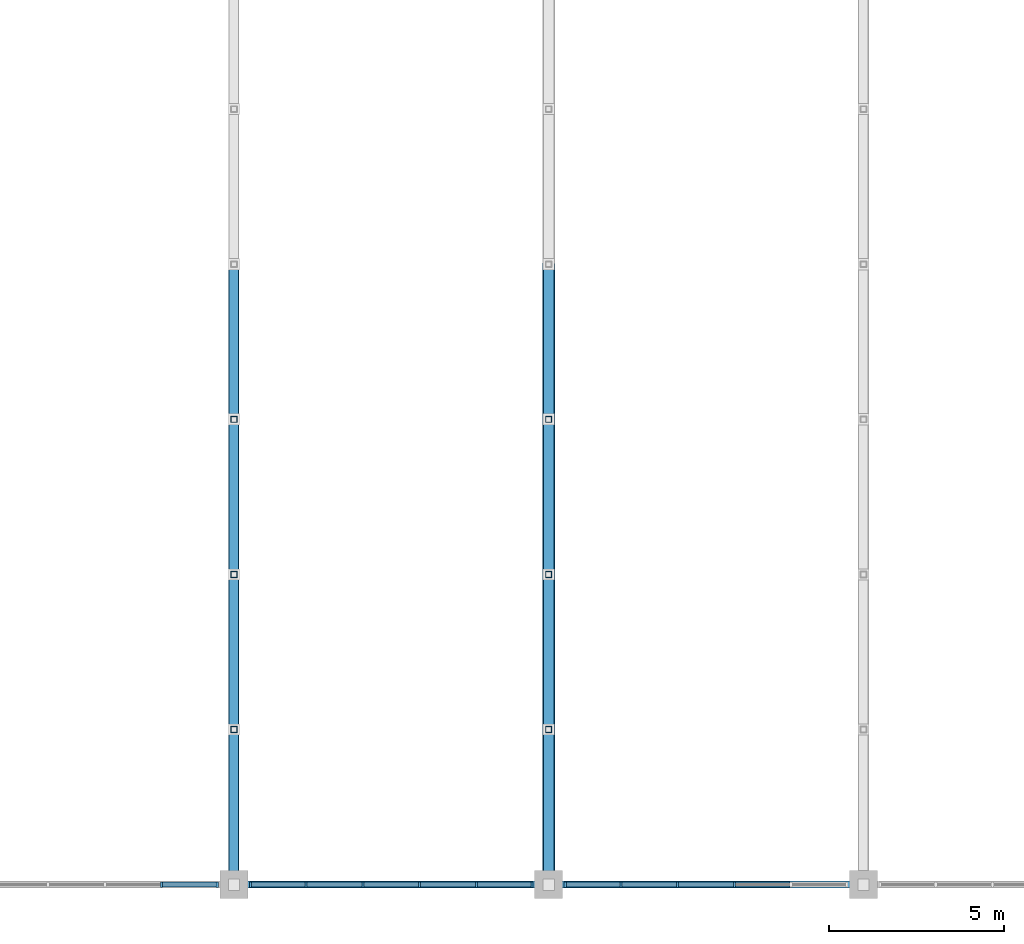
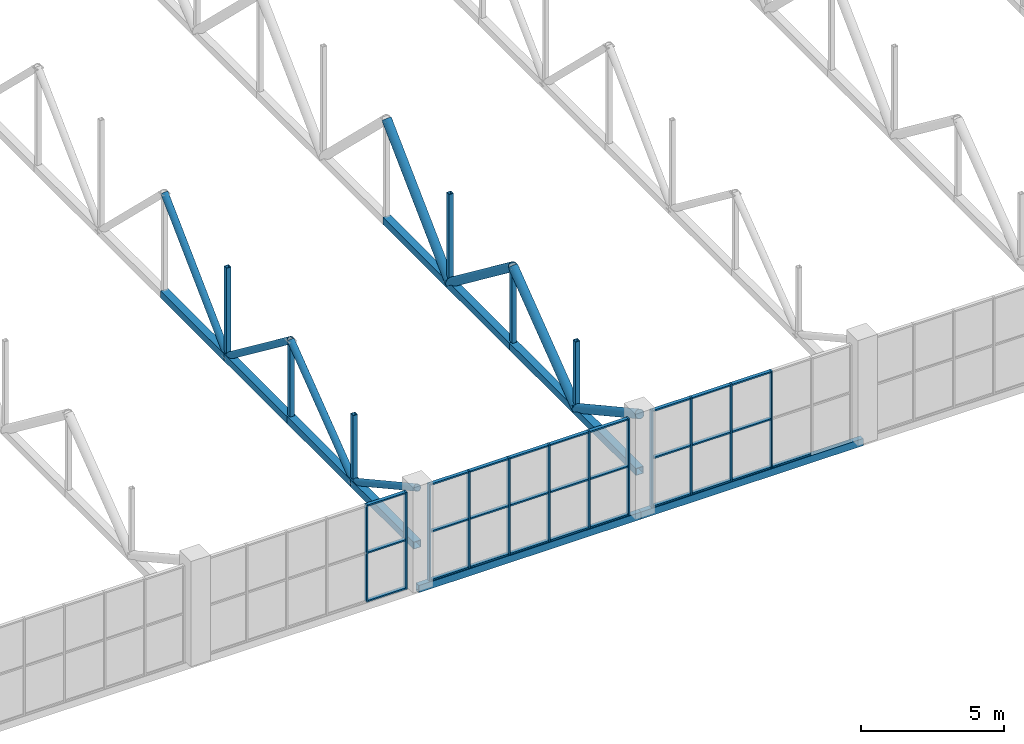
# One storey, part 53 of 103: 62 members, 2 beams, 3 elements without a shape of their own.
"""IFC4 building model written with IfcOpenShell, lengths in metres."""

import ifcopenshell
import ifcopenshell.guid

model = None  # the IFC model being written
_history = None  # IfcOwnerHistory: only IFC2X3 demands one
_inside = {}  # id of a spatial element -> (the spatial element, [elements in it])
_under = {}  # id of a project, library or spatial element -> (it, [spatial elements below it])
_declared = {}  # id of a project -> (the project, [libraries it declares])
_typed = {}  # id of a type object -> (the type object, [elements of that type])
_made_of = {}  # id of a material, layer set ... -> (it, [elements and type objects made of it])


def new_model(schema):
    """Start an empty IFC model of exactly this schema.

    Asked for "IFC4X3", IfcOpenShell would pick the latest addendum, in which some entities
    have other attributes; the version numbers below select the first issue.
    IFC2X3 requires an IfcOwnerHistory on every rooted entity: one is made here for all.
    """
    global model, _history
    if schema == "IFC4X3":
        model = ifcopenshell.file(schema_version=(4, 3, 0, 0))
    else:
        model = ifcopenshell.file(schema=schema)
    _inside.clear()
    _under.clear()
    _declared.clear()
    _typed.clear()
    _made_of.clear()
    _history = None
    if model.schema == "IFC2X3":
        org = make("IfcOrganization", Name="unknown")
        user = make(
            "IfcPersonAndOrganization",
            ThePerson=make("IfcPerson", FamilyName="unknown"),
            TheOrganization=org,
        )
        app = make(
            "IfcApplication",
            ApplicationDeveloper=org,
            Version="unknown",
            ApplicationFullName="unknown",
            ApplicationIdentifier="unknown",
        )
        _history = make(
            "IfcOwnerHistory",
            OwningUser=user,
            OwningApplication=app,
            ChangeAction="ADDED",
            CreationDate=0,
        )
    return model


def make(cls, **values):
    """One entity of the class cls with the attributes given. An attribute that is None is left unset."""
    return model.create_entity(
        cls, **{name: value for name, value in values.items() if value is not None}
    )


def rooted(cls, **values):
    """An entity with a GlobalId (a new one), such as an element, a storey or a relation."""
    return make(cls, GlobalId=ifcopenshell.guid.new(), OwnerHistory=_history, **values)


def si_unit(unit_type, name, prefix=None):
    """IfcSIUnit, for example si_unit("LENGTHUNIT", "METRE", prefix="MILLI")."""
    return make("IfcSIUnit", UnitType=unit_type, Prefix=prefix, Name=name)


def assignment(units):
    """IfcUnitAssignment: the units of a project."""
    return None if units is None else make("IfcUnitAssignment", Units=units)


def point(xyz):
    """IfcCartesianPoint."""
    return None if xyz is None else make("IfcCartesianPoint", Coordinates=xyz)


def direction(xyz):
    """IfcDirection."""
    return None if xyz is None else make("IfcDirection", DirectionRatios=xyz)


def frame(location, z_axis=None, x_axis=None):
    """IfcAxis2Placement3D, a coordinate frame: its origin and axes. An axis left out is left unset."""
    return make(
        "IfcAxis2Placement3D",
        Location=point(location),
        Axis=direction(z_axis),
        RefDirection=direction(x_axis),
    )


def frame_2d(location, x_axis=None):
    """IfcAxis2Placement2D, a coordinate frame in the plane: its origin and x axis."""
    return make(
        "IfcAxis2Placement2D", Location=point(location), RefDirection=direction(x_axis)
    )


def origin():
    """The frame at (0, 0, 0) with its axes left unset."""
    return frame((0.0, 0.0, 0.0))


def origin_2d():
    """The frame at (0, 0) in the plane with its x axis left unset."""
    return frame_2d((0.0, 0.0))


def place(relative_to, where):
    """IfcLocalPlacement: puts the frame where relative to a parent placement (None: the world)."""
    return make(
        "IfcLocalPlacement", PlacementRelTo=relative_to, RelativePlacement=where
    )


def context(
    kind, dimensions, precision=None, world=None, true_north=None, identifier=None
):
    """IfcGeometricRepresentationContext, for example the 3D "Model" context."""
    return make(
        "IfcGeometricRepresentationContext",
        ContextIdentifier=identifier,
        ContextType=kind,
        CoordinateSpaceDimension=dimensions,
        Precision=precision,
        WorldCoordinateSystem=world,
        TrueNorth=true_north,
    )


def subcontext(parent, identifier, kind, view, scale=None):
    """IfcGeometricRepresentationSubContext, for example "Body" below "Model"."""
    return make(
        "IfcGeometricRepresentationSubContext",
        ContextIdentifier=identifier,
        ContextType=kind,
        ParentContext=parent,
        TargetScale=scale,
        TargetView=view,
    )


def project(units=None, contexts=None):
    """IfcProject with its units and contexts."""
    return rooted(
        "IfcProject",
        Name="project",
        RepresentationContexts=contexts,
        UnitsInContext=assignment(units),
    )


def spatial(cls, under=None, at=None, **own):
    """A site, building, storey or space (cls), placed at a placement, below another one or the project."""
    s = rooted(cls, ObjectPlacement=at, **own)
    if under is not None:
        _under.setdefault(under.id(), (under, []))[1].append(s)
    return s


def profile(cls, at=None, kind="AREA", **sizes):
    """A parametric profile (cls). Its sizes go by their IFC names, for example OverallWidth=200.0."""
    return make(cls, ProfileType=kind, Position=at, **sizes)


def rectangle(**sizes):
    """IfcRectangleProfileDef."""
    return profile("IfcRectangleProfileDef", **sizes)


def hollow_rectangle(**sizes):
    """IfcRectangleHollowProfileDef."""
    return profile("IfcRectangleHollowProfileDef", **sizes)


def hollow_circle(**sizes):
    """IfcCircleHollowProfileDef."""
    return profile("IfcCircleHollowProfileDef", **sizes)


def extrude(swept, where, along, depth):
    """IfcExtrudedAreaSolid: the profile swept, set in the frame where, extruded along a direction by depth."""
    return make(
        "IfcExtrudedAreaSolid",
        SweptArea=swept,
        Position=where,
        ExtrudedDirection=direction(along),
        Depth=depth,
    )


def shape(context_of_items, identifier, shape_type, items):
    """IfcShapeRepresentation: the items that make up one representation, for example the "Body"."""
    return make(
        "IfcShapeRepresentation",
        ContextOfItems=context_of_items,
        RepresentationIdentifier=identifier,
        RepresentationType=shape_type,
        Items=items,
    )


def material(Name=None, Category=None):
    """IfcMaterial."""
    return make("IfcMaterial", Name=Name, Category=Category)


def layer(
    of_material, thickness, ventilated=None, Name=None, Category=None, Priority=None
):
    """IfcMaterialLayer: one layer of a wall or slab, of a material (None: an air gap)."""
    return make(
        "IfcMaterialLayer",
        Material=of_material,
        LayerThickness=thickness,
        IsVentilated=ventilated,
        Name=Name,
        Category=Category,
        Priority=Priority,
    )


def layer_set(layers, Name=None):
    """IfcMaterialLayerSet."""
    return make("IfcMaterialLayerSet", MaterialLayers=layers, LayerSetName=Name)


def material_profile(
    of_material, cross_section, Name=None, Category=None, Priority=None
):
    """IfcMaterialProfile: a cross section and its material."""
    return make(
        "IfcMaterialProfile",
        Name=Name,
        Material=of_material,
        Profile=cross_section,
        Priority=Priority,
        Category=Category,
    )


def profile_set(profiles, Name=None, composite=None):
    """IfcMaterialProfileSet."""
    return make(
        "IfcMaterialProfileSet",
        Name=Name,
        MaterialProfiles=profiles,
        CompositeProfile=composite,
    )


def made_of(thing, what):
    """Note that an element or type object is made of a material, layer set ...; save() writes the relation."""
    if what is not None:
        _made_of.setdefault(what.id(), (what, []))[1].append(thing)
    return thing


def type_object(cls, material=None, **own):
    """A type object (cls), such as IfcWallType, which elements share."""
    return made_of(rooted(cls, **own), material)


def element(
    cls,
    number,
    at=None,
    inside=None,
    cuts=None,
    type_object=None,
    material=None,
    context=None,
    identifier="Body",
    shape_type=None,
    held_by="IfcProductDefinitionShape",
    body=None,
    shapes=None,
    **own,
):
    """One element of the class cls, such as IfcWall. Its Tag is "e" and its number.

    at: its placement. inside: the storey or other place that contains it. cuts: it is an
    opening in that element (IfcRelVoidsElement). A single representation is given by context,
    identifier, shape_type and body (its items); several are given by shapes. held_by: the class
    of the entity that holds the representations. save() writes the other relations.
    """
    e = rooted(cls, Tag="e%d" % number, ObjectPlacement=at, **own)
    if body is not None:
        shapes = [shape(context, identifier, shape_type, body)]
    if shapes is not None:
        e.Representation = make(held_by, Representations=shapes)
    if inside is not None:
        _inside.setdefault(inside.id(), (inside, []))[1].append(e)
    if cuts is not None:
        rooted(
            "IfcRelVoidsElement", RelatingBuildingElement=cuts, RelatedOpeningElement=e
        )
    if type_object is not None:
        _typed.setdefault(type_object.id(), (type_object, []))[1].append(e)
    return made_of(e, material)


def aggregate(whole, parts):
    """IfcRelAggregates: a whole, such as a stair, and the parts it consists of."""
    return rooted("IfcRelAggregates", RelatingObject=whole, RelatedObjects=parts)


def save(model, path):
    """Write the relations noted so far, then the file.

    IfcRelAggregates (storeys below a building ...), IfcRelContainedInSpatialStructure (elements
    in a storey), IfcRelDefinesByType, IfcRelAssociatesMaterial and IfcRelDeclares: one each for
    every whole, place, type object, material and project.
    """
    for whole, parts in _under.values():
        aggregate(whole, parts)
    for where, things in _inside.values():
        rooted(
            "IfcRelContainedInSpatialStructure",
            RelatedElements=things,
            RelatingStructure=where,
        )
    for kind, things in _typed.values():
        rooted("IfcRelDefinesByType", RelatedObjects=things, RelatingType=kind)
    for what, things in _made_of.values():
        rooted("IfcRelAssociatesMaterial", RelatedObjects=things, RelatingMaterial=what)
    for by, libraries in _declared.values():
        rooted("IfcRelDeclares", RelatingContext=by, RelatedDefinitions=libraries)
    model.write(path)


model = new_model("IFC4")

# Units and contexts
model_context = context("Model", 3, precision=1e-05, world=origin(), true_north=direction((0.0, 1.0)))
body_context = subcontext(model_context, "Body", "Model", "MODEL_VIEW")
ifc_project = project(units=[si_unit("LENGTHUNIT", "METRE"), si_unit("AREAUNIT", "SQUARE_METRE"), si_unit("VOLUMEUNIT", "CUBIC_METRE"), si_unit("PLANEANGLEUNIT", "RADIAN"), si_unit("MASSUNIT", "GRAM", prefix="KILO")], contexts=[model_context])

# Site, building, storey
site_placement = place(None, origin())
site = spatial("IfcSite", under=ifc_project, at=site_placement, CompositionType="ELEMENT")
building_placement = place(site_placement, origin())
building = spatial("IfcBuilding", under=site, at=building_placement, Name="Cazmaro Siding Exhibition Halls", CompositionType="ELEMENT")
storey_placement = place(building_placement, frame((0.0, 0.0, 16.5)))
storey = spatial("IfcBuildingStorey", under=building, at=storey_placement, Name="L03", CompositionType="ELEMENT", Elevation=16.5)

# Curtain wall, members
ifc_material_1 = material(Name="Anodized Bronze Aluminum and Solar-Control Low-E Glazing", Category="aluminium")
ifc_layer = layer(ifc_material_1, 0.159912109375)
ifc_layer_set = layer_set([ifc_layer], Name="Anodized Bronze Aluminum and Solar-Control Low-E Glazing")
curtain_wall_type = type_object("IfcCurtainWallType", Name="CWS-04", PredefinedType="USERDEFINED", material=ifc_layer_set)
curtain_wall_1_placement = place(storey_placement, origin())
curtain_wall_1 = element("IfcCurtainWall", 1, at=curtain_wall_1_placement, inside=storey, type_object=curtain_wall_type, Name="Clerestory Curtain Wall CWS-04 CW-098", ObjectType="CLERESTORY CURTAIN WALL", PredefinedType="USERDEFINED")
ifc_material_2 = material(Name="Anodized Bronze Extruded Aluminum", Category="aluminium")
ifc_material_profile_1 = material_profile(ifc_material_2, rectangle(XDim=0.159912109375, YDim=0.06005859375, at=origin_2d()), Name="CWM-04")
ifc_profile_set_1 = profile_set([ifc_material_profile_1], Name="Anodized Bronze Extruded Aluminum")
member_type_1 = type_object("IfcMemberType", Name="CWM-04", PredefinedType="MULLION", material=ifc_profile_set_1)
member_1_placement = place(storey_placement, frame((159.93310546875, 9.25, 0.0), z_axis=(0.0, 0.0, 1.0), x_axis=(0.0, 1.0, 0.0)))
member_1 = element("IfcMember", 2, at=member_1_placement, type_object=member_type_1, Name="CWS-04 mullion 5", PredefinedType="MULLION", context=body_context, shape_type="SweptSolid", body=[
    extrude(rectangle(XDim=0.159912109375, YDim=0.06005859375, at=origin_2d()), origin(), (0.0, 0.0, 1.0), 4.14990234375),
])
member_2_placement = place(storey_placement, frame((161.52490234375, 9.25, 0.0), z_axis=(0.0, 0.0, 1.0), x_axis=(0.0, 1.0, 0.0)))
member_2 = element("IfcMember", 3, at=member_2_placement, type_object=member_type_1, Name="CWS-04 mullion 6", PredefinedType="MULLION", context=body_context, shape_type="SweptSolid", body=[
    extrude(rectangle(XDim=0.159912109375, YDim=0.06005859375, at=origin_2d()), origin(), (0.0, 0.0, 1.0), 4.14990234375),
])

curtain_wall_2_placement = place(storey_placement, origin())
curtain_wall_2 = element("IfcCurtainWall", 4, at=curtain_wall_2_placement, inside=storey, type_object=curtain_wall_type, Name="Clerestory Curtain Wall CWS-04 CW-100", ObjectType="CLERESTORY CURTAIN WALL", PredefinedType="USERDEFINED")
member_3_placement = place(storey_placement, frame((162.47509765625, 9.25, 0.0), z_axis=(0.0, 0.0, 1.0), x_axis=(0.0, 1.0, 0.0)))
member_3 = element("IfcMember", 5, at=member_3_placement, type_object=member_type_1, Name="CWS-04 mullion 1", PredefinedType="MULLION", context=body_context, shape_type="SweptSolid", body=[
    extrude(rectangle(XDim=0.159912109375, YDim=0.06005859375, at=origin_2d()), origin(), (0.0, 0.0, 1.0), 4.14990234375),
])
member_4_placement = place(storey_placement, frame((164.06689453125, 9.25, 0.0), z_axis=(0.0, 0.0, 1.0), x_axis=(0.0, 1.0, 0.0)))
member_4 = element("IfcMember", 6, at=member_4_placement, type_object=member_type_1, Name="CWS-04 mullion 2", PredefinedType="MULLION", context=body_context, shape_type="SweptSolid", body=[
    extrude(rectangle(XDim=0.159912109375, YDim=0.06005859375, at=origin_2d()), origin(), (0.0, 0.0, 1.0), 4.14990234375),
])
member_5_placement = place(storey_placement, frame((165.68896484375, 9.25, 0.0), z_axis=(0.0, 0.0, 1.0), x_axis=(0.0, 1.0, 0.0)))
member_5 = element("IfcMember", 7, at=member_5_placement, type_object=member_type_1, Name="CWS-04 mullion 3", PredefinedType="MULLION", context=body_context, shape_type="SweptSolid", body=[
    extrude(rectangle(XDim=0.159912109375, YDim=0.06005859375, at=origin_2d()), origin(), (0.0, 0.0, 1.0), 4.14990234375),
])
member_6_placement = place(storey_placement, frame((167.31103515625, 9.25, 0.0), z_axis=(0.0, 0.0, 1.0), x_axis=(0.0, 1.0, 0.0)))
member_6 = element("IfcMember", 8, at=member_6_placement, type_object=member_type_1, Name="CWS-04 mullion 4", PredefinedType="MULLION", context=body_context, shape_type="SweptSolid", body=[
    extrude(rectangle(XDim=0.159912109375, YDim=0.06005859375, at=origin_2d()), origin(), (0.0, 0.0, 1.0), 4.14990234375),
])
member_7_placement = place(storey_placement, frame((168.93310546875, 9.25, 0.0), z_axis=(0.0, 0.0, 1.0), x_axis=(0.0, 1.0, 0.0)))
member_7 = element("IfcMember", 9, at=member_7_placement, type_object=member_type_1, Name="CWS-04 mullion 5", PredefinedType="MULLION", context=body_context, shape_type="SweptSolid", body=[
    extrude(rectangle(XDim=0.159912109375, YDim=0.06005859375, at=origin_2d()), origin(), (0.0, 0.0, 1.0), 4.14990234375),
])
member_8_placement = place(storey_placement, frame((170.52490234375, 9.25, 0.0), z_axis=(0.0, 0.0, 1.0), x_axis=(0.0, 1.0, 0.0)))
member_8 = element("IfcMember", 10, at=member_8_placement, type_object=member_type_1, Name="CWS-04 mullion 6", PredefinedType="MULLION", context=body_context, shape_type="SweptSolid", body=[
    extrude(rectangle(XDim=0.159912109375, YDim=0.06005859375, at=origin_2d()), origin(), (0.0, 0.0, 1.0), 4.14990234375),
])

curtain_wall_3_placement = place(storey_placement, origin())
curtain_wall_3 = element("IfcCurtainWall", 11, at=curtain_wall_3_placement, inside=storey, type_object=curtain_wall_type, Name="Clerestory Curtain Wall CWS-04 CW-102", ObjectType="CLERESTORY CURTAIN WALL", PredefinedType="USERDEFINED")
member_9_placement = place(storey_placement, frame((171.47509765625, 9.25, 0.0), z_axis=(0.0, 0.0, 1.0), x_axis=(0.0, 1.0, 0.0)))
member_9 = element("IfcMember", 12, at=member_9_placement, type_object=member_type_1, Name="CWS-04 mullion 1", PredefinedType="MULLION", context=body_context, shape_type="SweptSolid", body=[
    extrude(rectangle(XDim=0.159912109375, YDim=0.06005859375, at=origin_2d()), origin(), (0.0, 0.0, 1.0), 4.14990234375),
])
member_10_placement = place(storey_placement, frame((173.06689453125, 9.25, 0.0), z_axis=(0.0, 0.0, 1.0), x_axis=(0.0, 1.0, 0.0)))
member_10 = element("IfcMember", 13, at=member_10_placement, type_object=member_type_1, Name="CWS-04 mullion 2", PredefinedType="MULLION", context=body_context, shape_type="SweptSolid", body=[
    extrude(rectangle(XDim=0.159912109375, YDim=0.06005859375, at=origin_2d()), origin(), (0.0, 0.0, 1.0), 4.14990234375),
])
member_11_placement = place(storey_placement, frame((174.68896484375, 9.25, 0.0), z_axis=(0.0, 0.0, 1.0), x_axis=(0.0, 1.0, 0.0)))
member_11 = element("IfcMember", 14, at=member_11_placement, type_object=member_type_1, Name="CWS-04 mullion 3", PredefinedType="MULLION", context=body_context, shape_type="SweptSolid", body=[
    extrude(rectangle(XDim=0.159912109375, YDim=0.06005859375, at=origin_2d()), origin(), (0.0, 0.0, 1.0), 4.14990234375),
])
member_12_placement = place(storey_placement, frame((176.31103515625, 9.25, 0.0), z_axis=(0.0, 0.0, 1.0), x_axis=(0.0, 1.0, 0.0)))
member_12 = element("IfcMember", 15, at=member_12_placement, type_object=member_type_1, Name="CWS-04 mullion 4", PredefinedType="MULLION", context=body_context, shape_type="SweptSolid", body=[
    extrude(rectangle(XDim=0.159912109375, YDim=0.06005859375, at=origin_2d()), origin(), (0.0, 0.0, 1.0), 4.14990234375),
])

# Member
ifc_material_3 = material(Name="Anodized Bronze Extruded Aluminum", Category="aluminium")
ifc_material_profile_2 = material_profile(ifc_material_3, rectangle(XDim=0.139892578125, YDim=0.06005859375, at=origin_2d()), Name="CWT-04")
ifc_profile_set_2 = profile_set([ifc_material_profile_2], Name="Anodized Bronze Extruded Aluminum")
member_type_2 = type_object("IfcMemberType", Name="CWT-04", PredefinedType="MULLION", material=ifc_profile_set_2)
member_13_placement = place(storey_placement, frame((159.962890625, 9.25, 0.030029296875), z_axis=(1.0, 0.0, 0.0), x_axis=(0.0, 1.0, 0.0)))
member_13 = element("IfcMember", 16, at=member_13_placement, type_object=member_type_2, Name="CWS-04 transom 5.1", ObjectType="TRANSOM", PredefinedType="USERDEFINED", context=body_context, shape_type="SweptSolid", body=[
    extrude(rectangle(XDim=0.139892578125, YDim=0.06005859375, at=origin_2d()), origin(), (0.0, 0.0, 1.0), 1.5322265625),
])

member_14_placement = place(storey_placement, frame((159.962890625, 9.25, 2.10009765625), z_axis=(1.0, 0.0, 0.0), x_axis=(0.0, 1.0, 0.0)))
member_14 = element("IfcMember", 17, at=member_14_placement, type_object=member_type_2, Name="CWS-04 transom 5.2", ObjectType="TRANSOM", PredefinedType="USERDEFINED", context=body_context, shape_type="SweptSolid", body=[
    extrude(rectangle(XDim=0.139892578125, YDim=0.06005859375, at=origin_2d()), origin(), (0.0, 0.0, 1.0), 1.5322265625),
])

member_15_placement = place(storey_placement, frame((159.962890625, 9.25, 4.1201171875), z_axis=(1.0, 0.0, 0.0), x_axis=(0.0, 1.0, 0.0)))
member_15 = element("IfcMember", 18, at=member_15_placement, type_object=member_type_2, Name="CWS-04 transom 5.3", ObjectType="TRANSOM", PredefinedType="USERDEFINED", context=body_context, shape_type="SweptSolid", body=[
    extrude(rectangle(XDim=0.139892578125, YDim=0.06005859375, at=origin_2d()), origin(), (0.0, 0.0, 1.0), 1.5322265625),
])

aggregate(curtain_wall_1, [member_1, member_2, member_13, member_14, member_15])

member_16_placement = place(storey_placement, frame((162.5048828125, 9.25, 0.030029296875), z_axis=(1.0, 0.0, 0.0), x_axis=(0.0, 1.0, 0.0)))
member_16 = element("IfcMember", 19, at=member_16_placement, type_object=member_type_2, Name="CWS-04 transom 1.1", ObjectType="TRANSOM", PredefinedType="USERDEFINED", context=body_context, shape_type="SweptSolid", body=[
    extrude(rectangle(XDim=0.139892578125, YDim=0.06005859375, at=origin_2d()), origin(), (0.0, 0.0, 1.0), 1.5322265625),
])

member_17_placement = place(storey_placement, frame((162.5048828125, 9.25, 2.10009765625), z_axis=(1.0, 0.0, 0.0), x_axis=(0.0, 1.0, 0.0)))
member_17 = element("IfcMember", 20, at=member_17_placement, type_object=member_type_2, Name="CWS-04 transom 1.2", ObjectType="TRANSOM", PredefinedType="USERDEFINED", context=body_context, shape_type="SweptSolid", body=[
    extrude(rectangle(XDim=0.139892578125, YDim=0.06005859375, at=origin_2d()), origin(), (0.0, 0.0, 1.0), 1.5322265625),
])

member_18_placement = place(storey_placement, frame((162.5048828125, 9.25, 4.1201171875), z_axis=(1.0, 0.0, 0.0), x_axis=(0.0, 1.0, 0.0)))
member_18 = element("IfcMember", 21, at=member_18_placement, type_object=member_type_2, Name="CWS-04 transom 1.3", ObjectType="TRANSOM", PredefinedType="USERDEFINED", context=body_context, shape_type="SweptSolid", body=[
    extrude(rectangle(XDim=0.139892578125, YDim=0.06005859375, at=origin_2d()), origin(), (0.0, 0.0, 1.0), 1.5322265625),
])

member_19_placement = place(storey_placement, frame((164.096923828125, 9.25, 0.030029296875), z_axis=(1.0, 0.0, 0.0), x_axis=(0.0, 1.0, 0.0)))
member_19 = element("IfcMember", 22, at=member_19_placement, type_object=member_type_2, Name="CWS-04 transom 2.1", ObjectType="TRANSOM", PredefinedType="USERDEFINED", context=body_context, shape_type="SweptSolid", body=[
    extrude(rectangle(XDim=0.139892578125, YDim=0.06005859375, at=origin_2d()), origin(), (0.0, 0.0, 1.0), 1.56201171875),
])

member_20_placement = place(storey_placement, frame((164.096923828125, 9.25, 2.10009765625), z_axis=(1.0, 0.0, 0.0), x_axis=(0.0, 1.0, 0.0)))
member_20 = element("IfcMember", 23, at=member_20_placement, type_object=member_type_2, Name="CWS-04 transom 2.2", ObjectType="TRANSOM", PredefinedType="USERDEFINED", context=body_context, shape_type="SweptSolid", body=[
    extrude(rectangle(XDim=0.139892578125, YDim=0.06005859375, at=origin_2d()), origin(), (0.0, 0.0, 1.0), 1.56201171875),
])

member_21_placement = place(storey_placement, frame((164.096923828125, 9.25, 4.1201171875), z_axis=(1.0, 0.0, 0.0), x_axis=(0.0, 1.0, 0.0)))
member_21 = element("IfcMember", 24, at=member_21_placement, type_object=member_type_2, Name="CWS-04 transom 2.3", ObjectType="TRANSOM", PredefinedType="USERDEFINED", context=body_context, shape_type="SweptSolid", body=[
    extrude(rectangle(XDim=0.139892578125, YDim=0.06005859375, at=origin_2d()), origin(), (0.0, 0.0, 1.0), 1.56201171875),
])

member_22_placement = place(storey_placement, frame((165.718994140625, 9.25, 0.030029296875), z_axis=(1.0, 0.0, 0.0), x_axis=(0.0, 1.0, 0.0)))
member_22 = element("IfcMember", 25, at=member_22_placement, type_object=member_type_2, Name="CWS-04 transom 3.1", ObjectType="TRANSOM", PredefinedType="USERDEFINED", context=body_context, shape_type="SweptSolid", body=[
    extrude(rectangle(XDim=0.139892578125, YDim=0.06005859375, at=origin_2d()), origin(), (0.0, 0.0, 1.0), 1.56201171875),
])

member_23_placement = place(storey_placement, frame((165.718994140625, 9.25, 2.10009765625), z_axis=(1.0, 0.0, 0.0), x_axis=(0.0, 1.0, 0.0)))
member_23 = element("IfcMember", 26, at=member_23_placement, type_object=member_type_2, Name="CWS-04 transom 3.2", ObjectType="TRANSOM", PredefinedType="USERDEFINED", context=body_context, shape_type="SweptSolid", body=[
    extrude(rectangle(XDim=0.139892578125, YDim=0.06005859375, at=origin_2d()), origin(), (0.0, 0.0, 1.0), 1.56201171875),
])

member_24_placement = place(storey_placement, frame((165.718994140625, 9.25, 4.1201171875), z_axis=(1.0, 0.0, 0.0), x_axis=(0.0, 1.0, 0.0)))
member_24 = element("IfcMember", 27, at=member_24_placement, type_object=member_type_2, Name="CWS-04 transom 3.3", ObjectType="TRANSOM", PredefinedType="USERDEFINED", context=body_context, shape_type="SweptSolid", body=[
    extrude(rectangle(XDim=0.139892578125, YDim=0.06005859375, at=origin_2d()), origin(), (0.0, 0.0, 1.0), 1.56201171875),
])

member_25_placement = place(storey_placement, frame((167.341064453125, 9.25, 0.030029296875), z_axis=(1.0, 0.0, 0.0), x_axis=(0.0, 1.0, 0.0)))
member_25 = element("IfcMember", 28, at=member_25_placement, type_object=member_type_2, Name="CWS-04 transom 4.1", ObjectType="TRANSOM", PredefinedType="USERDEFINED", context=body_context, shape_type="SweptSolid", body=[
    extrude(rectangle(XDim=0.139892578125, YDim=0.06005859375, at=origin_2d()), origin(), (0.0, 0.0, 1.0), 1.56201171875),
])

member_26_placement = place(storey_placement, frame((167.341064453125, 9.25, 2.10009765625), z_axis=(1.0, 0.0, 0.0), x_axis=(0.0, 1.0, 0.0)))
member_26 = element("IfcMember", 29, at=member_26_placement, type_object=member_type_2, Name="CWS-04 transom 4.2", ObjectType="TRANSOM", PredefinedType="USERDEFINED", context=body_context, shape_type="SweptSolid", body=[
    extrude(rectangle(XDim=0.139892578125, YDim=0.06005859375, at=origin_2d()), origin(), (0.0, 0.0, 1.0), 1.56201171875),
])

member_27_placement = place(storey_placement, frame((167.341064453125, 9.25, 4.1201171875), z_axis=(1.0, 0.0, 0.0), x_axis=(0.0, 1.0, 0.0)))
member_27 = element("IfcMember", 30, at=member_27_placement, type_object=member_type_2, Name="CWS-04 transom 4.3", ObjectType="TRANSOM", PredefinedType="USERDEFINED", context=body_context, shape_type="SweptSolid", body=[
    extrude(rectangle(XDim=0.139892578125, YDim=0.06005859375, at=origin_2d()), origin(), (0.0, 0.0, 1.0), 1.56201171875),
])

member_28_placement = place(storey_placement, frame((168.962890625, 9.25, 0.030029296875), z_axis=(1.0, 0.0, 0.0), x_axis=(0.0, 1.0, 0.0)))
member_28 = element("IfcMember", 31, at=member_28_placement, type_object=member_type_2, Name="CWS-04 transom 5.1", ObjectType="TRANSOM", PredefinedType="USERDEFINED", context=body_context, shape_type="SweptSolid", body=[
    extrude(rectangle(XDim=0.139892578125, YDim=0.06005859375, at=origin_2d()), origin(), (0.0, 0.0, 1.0), 1.5322265625),
])

member_29_placement = place(storey_placement, frame((168.962890625, 9.25, 2.10009765625), z_axis=(1.0, 0.0, 0.0), x_axis=(0.0, 1.0, 0.0)))
member_29 = element("IfcMember", 32, at=member_29_placement, type_object=member_type_2, Name="CWS-04 transom 5.2", ObjectType="TRANSOM", PredefinedType="USERDEFINED", context=body_context, shape_type="SweptSolid", body=[
    extrude(rectangle(XDim=0.139892578125, YDim=0.06005859375, at=origin_2d()), origin(), (0.0, 0.0, 1.0), 1.5322265625),
])

member_30_placement = place(storey_placement, frame((168.962890625, 9.25, 4.1201171875), z_axis=(1.0, 0.0, 0.0), x_axis=(0.0, 1.0, 0.0)))
member_30 = element("IfcMember", 33, at=member_30_placement, type_object=member_type_2, Name="CWS-04 transom 5.3", ObjectType="TRANSOM", PredefinedType="USERDEFINED", context=body_context, shape_type="SweptSolid", body=[
    extrude(rectangle(XDim=0.139892578125, YDim=0.06005859375, at=origin_2d()), origin(), (0.0, 0.0, 1.0), 1.5322265625),
])

aggregate(curtain_wall_2, [member_3, member_4, member_5, member_6, member_7, member_8, member_16, member_17, member_18, member_19, member_20, member_21, member_22, member_23, member_24, member_25, member_26, member_27, member_28, member_29, member_30])

member_31_placement = place(storey_placement, frame((171.5048828125, 9.25, 0.030029296875), z_axis=(1.0, 0.0, 0.0), x_axis=(0.0, 1.0, 0.0)))
member_31 = element("IfcMember", 34, at=member_31_placement, type_object=member_type_2, Name="CWS-04 transom 1.1", ObjectType="TRANSOM", PredefinedType="USERDEFINED", context=body_context, shape_type="SweptSolid", body=[
    extrude(rectangle(XDim=0.139892578125, YDim=0.06005859375, at=origin_2d()), origin(), (0.0, 0.0, 1.0), 1.5322265625),
])

member_32_placement = place(storey_placement, frame((171.5048828125, 9.25, 2.10009765625), z_axis=(1.0, 0.0, 0.0), x_axis=(0.0, 1.0, 0.0)))
member_32 = element("IfcMember", 35, at=member_32_placement, type_object=member_type_2, Name="CWS-04 transom 1.2", ObjectType="TRANSOM", PredefinedType="USERDEFINED", context=body_context, shape_type="SweptSolid", body=[
    extrude(rectangle(XDim=0.139892578125, YDim=0.06005859375, at=origin_2d()), origin(), (0.0, 0.0, 1.0), 1.5322265625),
])

member_33_placement = place(storey_placement, frame((171.5048828125, 9.25, 4.1201171875), z_axis=(1.0, 0.0, 0.0), x_axis=(0.0, 1.0, 0.0)))
member_33 = element("IfcMember", 36, at=member_33_placement, type_object=member_type_2, Name="CWS-04 transom 1.3", ObjectType="TRANSOM", PredefinedType="USERDEFINED", context=body_context, shape_type="SweptSolid", body=[
    extrude(rectangle(XDim=0.139892578125, YDim=0.06005859375, at=origin_2d()), origin(), (0.0, 0.0, 1.0), 1.5322265625),
])

member_34_placement = place(storey_placement, frame((173.096923828125, 9.25, 0.030029296875), z_axis=(1.0, 0.0, 0.0), x_axis=(0.0, 1.0, 0.0)))
member_34 = element("IfcMember", 37, at=member_34_placement, type_object=member_type_2, Name="CWS-04 transom 2.1", ObjectType="TRANSOM", PredefinedType="USERDEFINED", context=body_context, shape_type="SweptSolid", body=[
    extrude(rectangle(XDim=0.139892578125, YDim=0.06005859375, at=origin_2d()), origin(), (0.0, 0.0, 1.0), 1.56201171875),
])

member_35_placement = place(storey_placement, frame((173.096923828125, 9.25, 2.10009765625), z_axis=(1.0, 0.0, 0.0), x_axis=(0.0, 1.0, 0.0)))
member_35 = element("IfcMember", 38, at=member_35_placement, type_object=member_type_2, Name="CWS-04 transom 2.2", ObjectType="TRANSOM", PredefinedType="USERDEFINED", context=body_context, shape_type="SweptSolid", body=[
    extrude(rectangle(XDim=0.139892578125, YDim=0.06005859375, at=origin_2d()), origin(), (0.0, 0.0, 1.0), 1.56201171875),
])

member_36_placement = place(storey_placement, frame((173.096923828125, 9.25, 4.1201171875), z_axis=(1.0, 0.0, 0.0), x_axis=(0.0, 1.0, 0.0)))
member_36 = element("IfcMember", 39, at=member_36_placement, type_object=member_type_2, Name="CWS-04 transom 2.3", ObjectType="TRANSOM", PredefinedType="USERDEFINED", context=body_context, shape_type="SweptSolid", body=[
    extrude(rectangle(XDim=0.139892578125, YDim=0.06005859375, at=origin_2d()), origin(), (0.0, 0.0, 1.0), 1.56201171875),
])

member_37_placement = place(storey_placement, frame((174.718994140625, 9.25, 0.030029296875), z_axis=(1.0, 0.0, 0.0), x_axis=(0.0, 1.0, 0.0)))
member_37 = element("IfcMember", 40, at=member_37_placement, type_object=member_type_2, Name="CWS-04 transom 3.1", ObjectType="TRANSOM", PredefinedType="USERDEFINED", context=body_context, shape_type="SweptSolid", body=[
    extrude(rectangle(XDim=0.139892578125, YDim=0.06005859375, at=origin_2d()), origin(), (0.0, 0.0, 1.0), 1.56201171875),
])

member_38_placement = place(storey_placement, frame((174.718994140625, 9.25, 2.10009765625), z_axis=(1.0, 0.0, 0.0), x_axis=(0.0, 1.0, 0.0)))
member_38 = element("IfcMember", 41, at=member_38_placement, type_object=member_type_2, Name="CWS-04 transom 3.2", ObjectType="TRANSOM", PredefinedType="USERDEFINED", context=body_context, shape_type="SweptSolid", body=[
    extrude(rectangle(XDim=0.139892578125, YDim=0.06005859375, at=origin_2d()), origin(), (0.0, 0.0, 1.0), 1.56201171875),
])

member_39_placement = place(storey_placement, frame((174.718994140625, 9.25, 4.1201171875), z_axis=(1.0, 0.0, 0.0), x_axis=(0.0, 1.0, 0.0)))
member_39 = element("IfcMember", 42, at=member_39_placement, type_object=member_type_2, Name="CWS-04 transom 3.3", ObjectType="TRANSOM", PredefinedType="USERDEFINED", context=body_context, shape_type="SweptSolid", body=[
    extrude(rectangle(XDim=0.139892578125, YDim=0.06005859375, at=origin_2d()), origin(), (0.0, 0.0, 1.0), 1.56201171875),
])

member_40_placement = place(storey_placement, frame((176.341064453125, 9.25, 0.030029296875), z_axis=(1.0, 0.0, 0.0), x_axis=(0.0, 1.0, 0.0)))
member_40 = element("IfcMember", 43, at=member_40_placement, type_object=member_type_2, Name="CWS-04 transom 4.1", ObjectType="TRANSOM", PredefinedType="USERDEFINED", context=body_context, shape_type="SweptSolid", body=[
    extrude(rectangle(XDim=0.139892578125, YDim=0.06005859375, at=origin_2d()), origin(), (0.0, 0.0, 1.0), 1.56201171875),
])

aggregate(curtain_wall_3, [member_9, member_10, member_11, member_12, member_31, member_32, member_33, member_34, member_35, member_36, member_37, member_38, member_39, member_40])

# Beams
ifc_material_4 = material(Name="Steel ASTM A500 Grade C", Category="steel")
ifc_material_profile_3 = material_profile(ifc_material_4, hollow_rectangle(XDim=0.202880859375, YDim=0.304931640625, WallThickness=0.011962890625, at=origin_2d()), Name="HSS12X8X1/2")
ifc_profile_set_3 = profile_set([ifc_material_profile_3], Name="Steel ASTM A500 Grade C")
beam_type = type_object("IfcBeamType", Name="SP-01", PredefinedType="SPANDREL", material=ifc_profile_set_3)
for number, where, z_axis, x_axis, name in (
    (44, (162.0, 9.25, -0.152099609375), (1.0, 0.0, 0.0), (0.0, 1.0, 0.0), "Beam SP-01 BM-1523"),
    (45, (171.0, 9.25, -0.152099609375), (1.0, 0.0, 0.0), (0.0, 1.0, 0.0), "Beam SP-01 BM-1527"),
):
    element("IfcBeam", number, at=place(storey_placement, frame(where, z_axis=z_axis, x_axis=x_axis)), inside=storey, type_object=beam_type, Name=name, PredefinedType="SPANDREL", context=body_context, shape_type="SweptSolid", body=[
        extrude(hollow_rectangle(XDim=0.202880859375, YDim=0.304931640625, WallThickness=0.011962890625, at=origin_2d()), origin(), (0.0, 0.0, 1.0), 9.0),
    ])

# Members
ifc_material_5 = material(Name="Steel ASTM A500 Grade C", Category="steel")
ifc_material_profile_4 = material_profile(ifc_material_5, hollow_rectangle(XDim=0.304931640625, YDim=0.304931640625, WallThickness=0.014892578125, at=origin_2d()), Name="HSS12X12X5/8")
ifc_profile_set_4 = profile_set([ifc_material_profile_4], Name="Steel ASTM A500 Grade C")
member_type_3 = type_object("IfcMemberType", Name="TC-02", PredefinedType="CHORD", material=ifc_profile_set_4)
for number, where, z_axis, x_axis, name in (
    (46, (162.0, 9.25, 1.699951171875), (0.0, 1.0, 0.0), (-1.0, 0.0, 0.0), "Warren roof truss bottom chord TC-02 MEM-2693"),
    (47, (162.0, 13.68505859375, 1.699951171875), (0.0, 1.0, 0.0), (-1.0, 0.0, 0.0), "Warren roof truss bottom chord TC-02 MEM-2696"),
):
    element("IfcMember", number, at=place(storey_placement, frame(where, z_axis=z_axis, x_axis=x_axis)), inside=storey, type_object=member_type_3, Name=name, PredefinedType="CHORD", context=body_context, shape_type="SweptSolid", body=[
        extrude(hollow_rectangle(XDim=0.304931640625, YDim=0.304931640625, WallThickness=0.014892578125, at=origin_2d()), origin(), (0.0, 0.0, 1.0), 4.43505859375),
    ])
member_41_placement = place(storey_placement, frame((162.0, 18.1201171875, 1.699951171875), z_axis=(0.0, 1.0, 0.0), x_axis=(-1.0, 0.0, 0.0)))
element("IfcMember", 48, at=member_41_placement, inside=storey, type_object=member_type_3, Name="Warren roof truss bottom chord TC-02 MEM-2699", PredefinedType="CHORD", context=body_context, shape_type="SweptSolid", body=[
    extrude(hollow_rectangle(XDim=0.304931640625, YDim=0.304931640625, WallThickness=0.014892578125, at=origin_2d()), origin(), (0.0, 0.0, 1.0), 4.434814453125),
])
for number, where, z_axis, x_axis, name in (
    (49, (162.0, 22.554931640625, 1.699951171875), (0.0, 1.0, 0.0), (-1.0, 0.0, 0.0), "Warren roof truss bottom chord TC-02 MEM-2702"),
    (50, (171.0, 9.25, 1.699951171875), (0.0, 1.0, 0.0), (-1.0, 0.0, 0.0), "Warren roof truss bottom chord TC-02 MEM-2732"),
    (51, (171.0, 13.68505859375, 1.699951171875), (0.0, 1.0, 0.0), (-1.0, 0.0, 0.0), "Warren roof truss bottom chord TC-02 MEM-2735"),
):
    element("IfcMember", number, at=place(storey_placement, frame(where, z_axis=z_axis, x_axis=x_axis)), inside=storey, type_object=member_type_3, Name=name, PredefinedType="CHORD", context=body_context, shape_type="SweptSolid", body=[
        extrude(hollow_rectangle(XDim=0.304931640625, YDim=0.304931640625, WallThickness=0.014892578125, at=origin_2d()), origin(), (0.0, 0.0, 1.0), 4.43505859375),
    ])
member_42_placement = place(storey_placement, frame((171.0, 18.1201171875, 1.699951171875), z_axis=(0.0, 1.0, 0.0), x_axis=(-1.0, 0.0, 0.0)))
element("IfcMember", 52, at=member_42_placement, inside=storey, type_object=member_type_3, Name="Warren roof truss bottom chord TC-02 MEM-2738", PredefinedType="CHORD", context=body_context, shape_type="SweptSolid", body=[
    extrude(hollow_rectangle(XDim=0.304931640625, YDim=0.304931640625, WallThickness=0.014892578125, at=origin_2d()), origin(), (0.0, 0.0, 1.0), 4.434814453125),
])
member_43_placement = place(storey_placement, frame((171.0, 22.554931640625, 1.699951171875), z_axis=(0.0, 1.0, 0.0), x_axis=(-1.0, 0.0, 0.0)))
element("IfcMember", 53, at=member_43_placement, inside=storey, type_object=member_type_3, Name="Warren roof truss bottom chord TC-02 MEM-2741", PredefinedType="CHORD", context=body_context, shape_type="SweptSolid", body=[
    extrude(hollow_rectangle(XDim=0.304931640625, YDim=0.304931640625, WallThickness=0.014892578125, at=origin_2d()), origin(), (0.0, 0.0, 1.0), 4.43505859375),
])
ifc_material_6 = material(Name="Steel ASTM A500 Grade C", Category="steel")
ifc_material_profile_5 = material_profile(ifc_material_6, hollow_rectangle(XDim=0.177978515625, YDim=0.177978515625, WallThickness=0.011962890625, at=origin_2d()), Name="HSS7X7X1/2")
ifc_profile_set_5 = profile_set([ifc_material_profile_5], Name="Steel ASTM A500 Grade C")
member_type_4 = type_object("IfcMemberType", Name="TP-02", PredefinedType="POST", material=ifc_profile_set_5)
member_44_placement = place(storey_placement, frame((162.0, 13.68505859375, 1.699951171875), z_axis=(0.0, 0.0, 1.0), x_axis=(1.0, 0.0, 0.0)))
element("IfcMember", 54, at=member_44_placement, inside=storey, type_object=member_type_4, Name="Warren roof truss vertical TP-02 MEM-2722", PredefinedType="POST", context=body_context, shape_type="SweptSolid", body=[
    extrude(hollow_rectangle(XDim=0.177978515625, YDim=0.177978515625, WallThickness=0.011962890625, at=origin_2d()), origin(), (0.0, 0.0, 1.0), 2.906005859375),
])
member_45_placement = place(storey_placement, frame((162.0, 18.1201171875, 1.699951171875), z_axis=(0.0, 0.0, 1.0), x_axis=(1.0, 0.0, 0.0)))
element("IfcMember", 55, at=member_45_placement, inside=storey, type_object=member_type_4, Name="Warren roof truss vertical TP-02 MEM-2723", PredefinedType="POST", context=body_context, shape_type="SweptSolid", body=[
    extrude(hollow_rectangle(XDim=0.177978515625, YDim=0.177978515625, WallThickness=0.011962890625, at=origin_2d()), origin(), (0.0, 0.0, 1.0), 3.373046875),
])
member_46_placement = place(storey_placement, frame((162.0, 22.554931640625, 1.699951171875), z_axis=(0.0, 0.0, 1.0), x_axis=(1.0, 0.0, 0.0)))
element("IfcMember", 56, at=member_46_placement, inside=storey, type_object=member_type_4, Name="Warren roof truss vertical TP-02 MEM-2724", PredefinedType="POST", context=body_context, shape_type="SweptSolid", body=[
    extrude(hollow_rectangle(XDim=0.177978515625, YDim=0.177978515625, WallThickness=0.011962890625, at=origin_2d()), origin(), (0.0, 0.0, 1.0), 3.839111328125),
])
member_47_placement = place(storey_placement, frame((171.0, 13.68505859375, 1.699951171875), z_axis=(0.0, 0.0, 1.0), x_axis=(1.0, 0.0, 0.0)))
element("IfcMember", 57, at=member_47_placement, inside=storey, type_object=member_type_4, Name="Warren roof truss vertical TP-02 MEM-2761", PredefinedType="POST", context=body_context, shape_type="SweptSolid", body=[
    extrude(hollow_rectangle(XDim=0.177978515625, YDim=0.177978515625, WallThickness=0.011962890625, at=origin_2d()), origin(), (0.0, 0.0, 1.0), 2.906005859375),
])
member_48_placement = place(storey_placement, frame((171.0, 18.1201171875, 1.699951171875), z_axis=(0.0, 0.0, 1.0), x_axis=(1.0, 0.0, 0.0)))
element("IfcMember", 58, at=member_48_placement, inside=storey, type_object=member_type_4, Name="Warren roof truss vertical TP-02 MEM-2762", PredefinedType="POST", context=body_context, shape_type="SweptSolid", body=[
    extrude(hollow_rectangle(XDim=0.177978515625, YDim=0.177978515625, WallThickness=0.011962890625, at=origin_2d()), origin(), (0.0, 0.0, 1.0), 3.373046875),
])
member_49_placement = place(storey_placement, frame((171.0, 22.554931640625, 1.699951171875), z_axis=(0.0, 0.0, 1.0), x_axis=(1.0, 0.0, 0.0)))
element("IfcMember", 59, at=member_49_placement, inside=storey, type_object=member_type_4, Name="Warren roof truss vertical TP-02 MEM-2763", PredefinedType="POST", context=body_context, shape_type="SweptSolid", body=[
    extrude(hollow_rectangle(XDim=0.177978515625, YDim=0.177978515625, WallThickness=0.011962890625, at=origin_2d()), origin(), (0.0, 0.0, 1.0), 3.839111328125),
])
ifc_material_7 = material(Name="Steel ASTM A500 Grade C", Category="steel")
ifc_material_profile_6 = material_profile(ifc_material_7, hollow_circle(Radius=0.136474609375, WallThickness=0.012939453125, at=origin_2d()), Name="PIPE10XS")
ifc_profile_set_6 = profile_set([ifc_material_profile_6], Name="Steel ASTM A500 Grade C")
member_type_5 = type_object("IfcMemberType", Name="WB-02", PredefinedType="BRACE", material=ifc_profile_set_6)
member_50_placement = place(storey_placement, frame((162.0, 9.25, 4.139892578125), z_axis=(0.0, 0.876160914294, -0.482018726051), x_axis=(-1.0, 0.0, 0.0)))
element("IfcMember", 60, at=member_50_placement, inside=storey, type_object=member_type_5, Name="Warren roof truss diagonal WB-02 MEM-2694", PredefinedType="BRACE", context=body_context, shape_type="SweptSolid", body=[
    extrude(hollow_circle(Radius=0.136474609375, WallThickness=0.012939453125, at=origin_2d()), origin(), (0.0, 0.0, 1.0), 5.06201171875),
])
member_51_placement = place(storey_placement, frame((162.0, 13.68505859375, 1.699951171875), z_axis=(0.0, 0.795954445209, 0.605356524002), x_axis=(-1.0, 0.0, 0.0)))
element("IfcMember", 61, at=member_51_placement, inside=storey, type_object=member_type_5, Name="Warren roof truss diagonal WB-02 MEM-2697", PredefinedType="BRACE", context=body_context, shape_type="SweptSolid", body=[
    extrude(hollow_circle(Radius=0.136474609375, WallThickness=0.012939453125, at=origin_2d()), origin(), (0.0, 0.0, 1.0), 5.572021484375),
])
member_52_placement = place(storey_placement, frame((162.0, 18.1201171875, 5.072998046875), z_axis=(0.0, 0.795938387852, -0.605377636475), x_axis=(-1.0, 0.0, 0.0)))
element("IfcMember", 62, at=member_52_placement, inside=storey, type_object=member_type_5, Name="Warren roof truss diagonal WB-02 MEM-2700", PredefinedType="BRACE", context=body_context, shape_type="SweptSolid", body=[
    extrude(hollow_circle(Radius=0.136474609375, WallThickness=0.012939453125, at=origin_2d()), origin(), (0.0, 0.0, 1.0), 5.57177734375),
])
member_53_placement = place(storey_placement, frame((162.0, 22.554931640625, 1.699951171875), z_axis=(0.0, 0.717555143773, 0.696501698236), x_axis=(-1.0, 0.0, 0.0)))
element("IfcMember", 63, at=member_53_placement, inside=storey, type_object=member_type_5, Name="Warren roof truss diagonal WB-02 MEM-2703", PredefinedType="BRACE", context=body_context, shape_type="SweptSolid", body=[
    extrude(hollow_circle(Radius=0.136474609375, WallThickness=0.012939453125, at=origin_2d()), origin(), (0.0, 0.0, 1.0), 6.180908203125),
])
ifc_material_8 = material(Name="Steel ASTM A500 Grade C", Category="steel")
ifc_material_profile_7 = material_profile(ifc_material_8, hollow_circle(Radius=0.177978515625, WallThickness=0.012939453125, at=origin_2d()), Name="PIPE14XS")
ifc_profile_set_7 = profile_set([ifc_material_profile_7], Name="Steel ASTM A500 Grade C")
member_type_6 = type_object("IfcMemberType", Name="WB-06", PredefinedType="BRACE", material=ifc_profile_set_7)
member_54_placement = place(storey_placement, frame((171.0, 9.25, 4.139892578125), z_axis=(0.0, 0.876160914294, -0.482018726051), x_axis=(-1.0, 0.0, 0.0)))
element("IfcMember", 64, at=member_54_placement, inside=storey, type_object=member_type_6, Name="Warren roof truss diagonal WB-06 MEM-2733", PredefinedType="BRACE", context=body_context, shape_type="SweptSolid", body=[
    extrude(hollow_circle(Radius=0.177978515625, WallThickness=0.012939453125, at=origin_2d()), origin(), (0.0, 0.0, 1.0), 5.06201171875),
])
member_55_placement = place(storey_placement, frame((171.0, 13.68505859375, 1.699951171875), z_axis=(0.0, 0.795954445209, 0.605356524002), x_axis=(-1.0, 0.0, 0.0)))
element("IfcMember", 65, at=member_55_placement, inside=storey, type_object=member_type_6, Name="Warren roof truss diagonal WB-06 MEM-2736", PredefinedType="BRACE", context=body_context, shape_type="SweptSolid", body=[
    extrude(hollow_circle(Radius=0.177978515625, WallThickness=0.012939453125, at=origin_2d()), origin(), (0.0, 0.0, 1.0), 5.572021484375),
])
member_56_placement = place(storey_placement, frame((171.0, 18.1201171875, 5.072998046875), z_axis=(0.0, 0.795938387852, -0.605377636475), x_axis=(-1.0, 0.0, 0.0)))
element("IfcMember", 66, at=member_56_placement, inside=storey, type_object=member_type_6, Name="Warren roof truss diagonal WB-06 MEM-2739", PredefinedType="BRACE", context=body_context, shape_type="SweptSolid", body=[
    extrude(hollow_circle(Radius=0.177978515625, WallThickness=0.012939453125, at=origin_2d()), origin(), (0.0, 0.0, 1.0), 5.57177734375),
])
member_57_placement = place(storey_placement, frame((171.0, 22.554931640625, 1.699951171875), z_axis=(0.0, 0.717555143773, 0.696501698236), x_axis=(-1.0, 0.0, 0.0)))
element("IfcMember", 67, at=member_57_placement, inside=storey, type_object=member_type_6, Name="Warren roof truss diagonal WB-06 MEM-2742", PredefinedType="BRACE", context=body_context, shape_type="SweptSolid", body=[
    extrude(hollow_circle(Radius=0.177978515625, WallThickness=0.012939453125, at=origin_2d()), origin(), (0.0, 0.0, 1.0), 6.180908203125),
])

save(model, "model.ifc")
